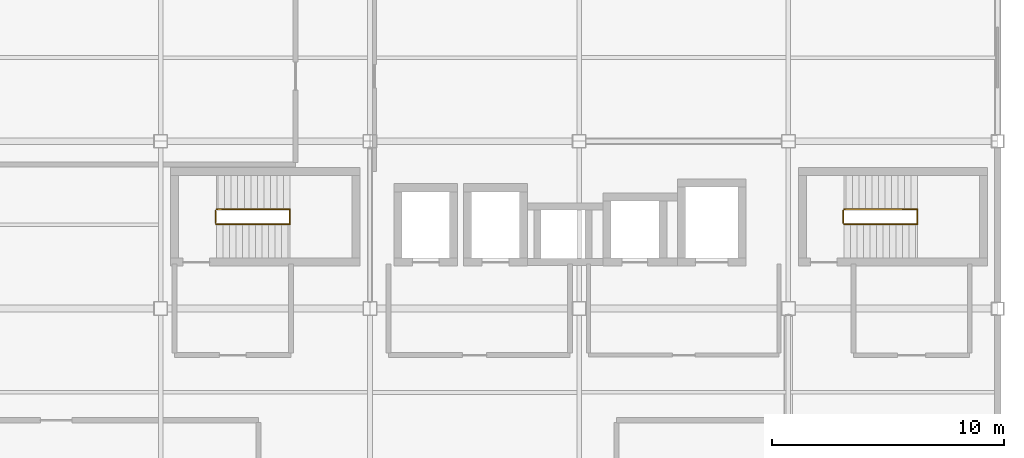
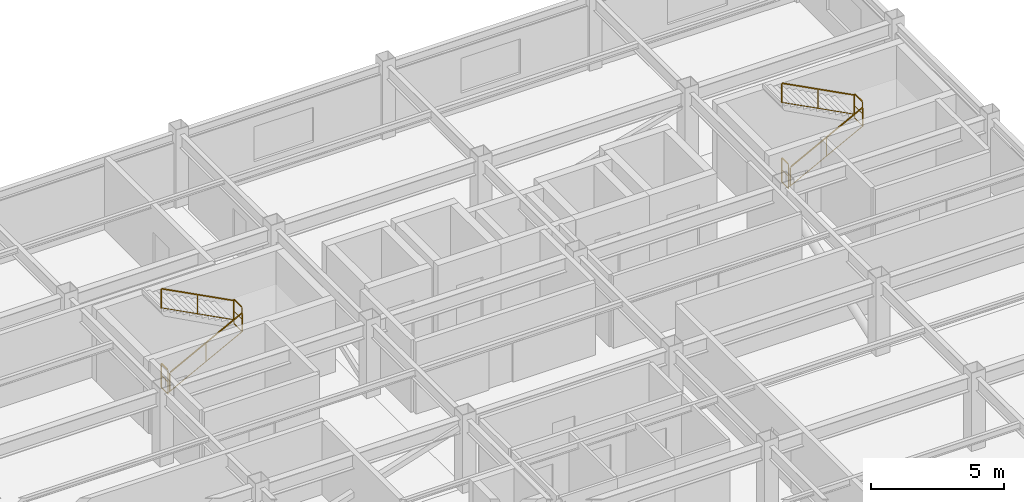
# One storey, part 43 of 43: 8 railings.
"""IFC4 building model written with IfcOpenShell, lengths in metres."""

import ifcopenshell
import ifcopenshell.guid

model = None  # the IFC model being written
_history = None  # IfcOwnerHistory: only IFC2X3 demands one
_inside = {}  # id of a spatial element -> (the spatial element, [elements in it])
_under = {}  # id of a project, library or spatial element -> (it, [spatial elements below it])
_declared = {}  # id of a project -> (the project, [libraries it declares])
_typed = {}  # id of a type object -> (the type object, [elements of that type])
_made_of = {}  # id of a material, layer set ... -> (it, [elements and type objects made of it])


def new_model(schema):
    """Start an empty IFC model of exactly this schema.

    Asked for "IFC4X3", IfcOpenShell would pick the latest addendum, in which some entities
    have other attributes; the version numbers below select the first issue.
    IFC2X3 requires an IfcOwnerHistory on every rooted entity: one is made here for all.
    """
    global model, _history
    if schema == "IFC4X3":
        model = ifcopenshell.file(schema_version=(4, 3, 0, 0))
    else:
        model = ifcopenshell.file(schema=schema)
    _inside.clear()
    _under.clear()
    _declared.clear()
    _typed.clear()
    _made_of.clear()
    _history = None
    if model.schema == "IFC2X3":
        org = make("IfcOrganization", Name="unknown")
        user = make(
            "IfcPersonAndOrganization",
            ThePerson=make("IfcPerson", FamilyName="unknown"),
            TheOrganization=org,
        )
        app = make(
            "IfcApplication",
            ApplicationDeveloper=org,
            Version="unknown",
            ApplicationFullName="unknown",
            ApplicationIdentifier="unknown",
        )
        _history = make(
            "IfcOwnerHistory",
            OwningUser=user,
            OwningApplication=app,
            ChangeAction="ADDED",
            CreationDate=0,
        )
    return model


def make(cls, **values):
    """One entity of the class cls with the attributes given. An attribute that is None is left unset."""
    return model.create_entity(
        cls, **{name: value for name, value in values.items() if value is not None}
    )


def rooted(cls, **values):
    """An entity with a GlobalId (a new one), such as an element, a storey or a relation."""
    return make(cls, GlobalId=ifcopenshell.guid.new(), OwnerHistory=_history, **values)


def si_unit(unit_type, name, prefix=None):
    """IfcSIUnit, for example si_unit("LENGTHUNIT", "METRE", prefix="MILLI")."""
    return make("IfcSIUnit", UnitType=unit_type, Prefix=prefix, Name=name)


def assignment(units):
    """IfcUnitAssignment: the units of a project."""
    return None if units is None else make("IfcUnitAssignment", Units=units)


def point(xyz):
    """IfcCartesianPoint."""
    return None if xyz is None else make("IfcCartesianPoint", Coordinates=xyz)


def direction(xyz):
    """IfcDirection."""
    return None if xyz is None else make("IfcDirection", DirectionRatios=xyz)


def frame(location, z_axis=None, x_axis=None):
    """IfcAxis2Placement3D, a coordinate frame: its origin and axes. An axis left out is left unset."""
    return make(
        "IfcAxis2Placement3D",
        Location=point(location),
        Axis=direction(z_axis),
        RefDirection=direction(x_axis),
    )


def frame_2d(location, x_axis=None):
    """IfcAxis2Placement2D, a coordinate frame in the plane: its origin and x axis."""
    return make(
        "IfcAxis2Placement2D", Location=point(location), RefDirection=direction(x_axis)
    )


def origin():
    """The frame at (0, 0, 0) with its axes left unset."""
    return frame((0.0, 0.0, 0.0))


def origin_2d():
    """The frame at (0, 0) in the plane with its x axis left unset."""
    return frame_2d((0.0, 0.0))


def place(relative_to, where):
    """IfcLocalPlacement: puts the frame where relative to a parent placement (None: the world)."""
    return make(
        "IfcLocalPlacement", PlacementRelTo=relative_to, RelativePlacement=where
    )


def context(
    kind, dimensions, precision=None, world=None, true_north=None, identifier=None
):
    """IfcGeometricRepresentationContext, for example the 3D "Model" context."""
    return make(
        "IfcGeometricRepresentationContext",
        ContextIdentifier=identifier,
        ContextType=kind,
        CoordinateSpaceDimension=dimensions,
        Precision=precision,
        WorldCoordinateSystem=world,
        TrueNorth=true_north,
    )


def subcontext(parent, identifier, kind, view, scale=None):
    """IfcGeometricRepresentationSubContext, for example "Body" below "Model"."""
    return make(
        "IfcGeometricRepresentationSubContext",
        ContextIdentifier=identifier,
        ContextType=kind,
        ParentContext=parent,
        TargetScale=scale,
        TargetView=view,
    )


def project(units=None, contexts=None):
    """IfcProject with its units and contexts."""
    return rooted(
        "IfcProject",
        Name="project",
        RepresentationContexts=contexts,
        UnitsInContext=assignment(units),
    )


def spatial(cls, under=None, at=None, **own):
    """A site, building, storey or space (cls), placed at a placement, below another one or the project."""
    s = rooted(cls, ObjectPlacement=at, **own)
    if under is not None:
        _under.setdefault(under.id(), (under, []))[1].append(s)
    return s


def profile(cls, at=None, kind="AREA", **sizes):
    """A parametric profile (cls). Its sizes go by their IFC names, for example OverallWidth=200.0."""
    return make(cls, ProfileType=kind, Position=at, **sizes)


def rectangle(**sizes):
    """IfcRectangleProfileDef."""
    return profile("IfcRectangleProfileDef", **sizes)


def extrude(swept, where, along, depth):
    """IfcExtrudedAreaSolid: the profile swept, set in the frame where, extruded along a direction by depth."""
    return make(
        "IfcExtrudedAreaSolid",
        SweptArea=swept,
        Position=where,
        ExtrudedDirection=direction(along),
        Depth=depth,
    )


def shape(context_of_items, identifier, shape_type, items):
    """IfcShapeRepresentation: the items that make up one representation, for example the "Body"."""
    return make(
        "IfcShapeRepresentation",
        ContextOfItems=context_of_items,
        RepresentationIdentifier=identifier,
        RepresentationType=shape_type,
        Items=items,
    )


def material(Name=None, Category=None):
    """IfcMaterial."""
    return make("IfcMaterial", Name=Name, Category=Category)


def made_of(thing, what):
    """Note that an element or type object is made of a material, layer set ...; save() writes the relation."""
    if what is not None:
        _made_of.setdefault(what.id(), (what, []))[1].append(thing)
    return thing


def type_object(cls, material=None, **own):
    """A type object (cls), such as IfcWallType, which elements share."""
    return made_of(rooted(cls, **own), material)


def element(
    cls,
    number,
    at=None,
    inside=None,
    cuts=None,
    type_object=None,
    material=None,
    context=None,
    identifier="Body",
    shape_type=None,
    held_by="IfcProductDefinitionShape",
    body=None,
    shapes=None,
    **own,
):
    """One element of the class cls, such as IfcWall. Its Tag is "e" and its number.

    at: its placement. inside: the storey or other place that contains it. cuts: it is an
    opening in that element (IfcRelVoidsElement). A single representation is given by context,
    identifier, shape_type and body (its items); several are given by shapes. held_by: the class
    of the entity that holds the representations. save() writes the other relations.
    """
    e = rooted(cls, Tag="e%d" % number, ObjectPlacement=at, **own)
    if body is not None:
        shapes = [shape(context, identifier, shape_type, body)]
    if shapes is not None:
        e.Representation = make(held_by, Representations=shapes)
    if inside is not None:
        _inside.setdefault(inside.id(), (inside, []))[1].append(e)
    if cuts is not None:
        rooted(
            "IfcRelVoidsElement", RelatingBuildingElement=cuts, RelatedOpeningElement=e
        )
    if type_object is not None:
        _typed.setdefault(type_object.id(), (type_object, []))[1].append(e)
    return made_of(e, material)


def aggregate(whole, parts):
    """IfcRelAggregates: a whole, such as a stair, and the parts it consists of."""
    return rooted("IfcRelAggregates", RelatingObject=whole, RelatedObjects=parts)


def save(model, path):
    """Write the relations noted so far, then the file.

    IfcRelAggregates (storeys below a building ...), IfcRelContainedInSpatialStructure (elements
    in a storey), IfcRelDefinesByType, IfcRelAssociatesMaterial and IfcRelDeclares: one each for
    every whole, place, type object, material and project.
    """
    for whole, parts in _under.values():
        aggregate(whole, parts)
    for where, things in _inside.values():
        rooted(
            "IfcRelContainedInSpatialStructure",
            RelatedElements=things,
            RelatingStructure=where,
        )
    for kind, things in _typed.values():
        rooted("IfcRelDefinesByType", RelatedObjects=things, RelatingType=kind)
    for what, things in _made_of.values():
        rooted("IfcRelAssociatesMaterial", RelatedObjects=things, RelatingMaterial=what)
    for by, libraries in _declared.values():
        rooted("IfcRelDeclares", RelatingContext=by, RelatedDefinitions=libraries)
    model.write(path)


model = new_model("IFC4")

# Units and contexts
model_context = context("Model", 3, precision=1e-05, world=origin(), true_north=direction((0.0, 1.0)))
body_context = subcontext(model_context, "Body", "Model", "MODEL_VIEW")
ifc_project = project(units=[si_unit("LENGTHUNIT", "METRE"), si_unit("AREAUNIT", "SQUARE_METRE"), si_unit("VOLUMEUNIT", "CUBIC_METRE"), si_unit("PLANEANGLEUNIT", "RADIAN"), si_unit("MASSUNIT", "GRAM", prefix="KILO")], contexts=[model_context])

# Site, building, storey
site_placement = place(None, origin())
site = spatial("IfcSite", under=ifc_project, at=site_placement, CompositionType="ELEMENT")
building_placement = place(site_placement, origin())
building = spatial("IfcBuilding", under=site, at=building_placement, Name="Kazanami Central Library", CompositionType="ELEMENT")
storey_placement = place(building_placement, frame((0.0, 0.0, 20.60009765625)))
storey = spatial("IfcBuildingStorey", under=building, at=storey_placement, Name="L06", CompositionType="ELEMENT", Elevation=20.60009765625)

# Railings
ifc_material = material(Name="Stainless Steel SUS304", Category="steel")
railing_type_1 = type_object("IfcRailingType", Name="RAL-GR-S1", PredefinedType="GUARDRAIL", material=ifc_material)
railing_1_placement = place(storey_placement, frame((128.360107421875, 82.89501953125, 0.0)))
element("IfcRailing", 1, at=railing_1_placement, inside=storey, type_object=railing_type_1, Name="Stair Well Guard ST-01 L06", PredefinedType="GUARDRAIL", context=body_context, shape_type="SweptSolid", body=[
    extrude(rectangle(XDim=0.0439453125, YDim=0.0439453125, at=origin_2d()), frame((0.0, 0.02587890625, 1.1279296875), z_axis=(0.0, 1.0, 0.0), x_axis=(-1.0, 0.0, 0.0)), (0.0, 0.0, 1.0), 0.4580078125),
    extrude(rectangle(XDim=0.02392578125, YDim=0.02392578125, at=origin_2d()), frame((0.0, 0.02587890625, 0.015869140625), z_axis=(0.0, 1.0, 0.0), x_axis=(-1.0, 0.0, 0.0)), (0.0, 0.0, 1.0), 0.4580078125),
    extrude(rectangle(XDim=0.02392578125, YDim=0.02392578125, at=origin_2d()), frame((0.0, 0.02587890625, 0.574951171875), z_axis=(0.0, 1.0, 0.0), x_axis=(-1.0, 0.0, 0.0)), (0.0, 0.0, 1.0), 0.4580078125),
    extrude(rectangle(XDim=0.035888671875, YDim=0.035888671875, at=origin_2d()), origin(), (0.0, 0.0, 1.0), 1.10205078125),
    extrude(rectangle(XDim=0.035888671875, YDim=0.035888671875, at=origin_2d()), frame((0.0, 0.510009765625, 0.0)), (0.0, 0.0, 1.0), 1.10205078125),
])
railing_2_placement = place(storey_placement, frame((131.548095703125, 82.844970703125, 1.7998046875)))
element("IfcRailing", 2, at=railing_2_placement, inside=storey, type_object=railing_type_1, Name="Half-Landing Well Guard ST-01 L06", PredefinedType="GUARDRAIL", context=body_context, shape_type="SweptSolid", body=[
    extrude(rectangle(XDim=0.0439453125, YDim=0.0439453125, at=origin_2d()), frame((0.0, 0.02587890625, 1.1279296875), z_axis=(0.0, 1.0, 0.0), x_axis=(-1.0, 0.0, 0.0)), (0.0, 0.0, 1.0), 0.55810546875),
    extrude(rectangle(XDim=0.02392578125, YDim=0.02392578125, at=origin_2d()), frame((0.0, 0.02587890625, 0.015869140625), z_axis=(0.0, 1.0, 0.0), x_axis=(-1.0, 0.0, 0.0)), (0.0, 0.0, 1.0), 0.55810546875),
    extrude(rectangle(XDim=0.02392578125, YDim=0.02392578125, at=origin_2d()), frame((0.0, 0.02587890625, 0.574951171875), z_axis=(0.0, 1.0, 0.0), x_axis=(-1.0, 0.0, 0.0)), (0.0, 0.0, 1.0), 0.55810546875),
    extrude(rectangle(XDim=0.035888671875, YDim=0.035888671875, at=origin_2d()), origin(), (0.0, 0.0, 1.0), 1.10205078125),
    extrude(rectangle(XDim=0.035888671875, YDim=0.035888671875, at=origin_2d()), frame((0.0, 0.610107421875, 0.0)), (0.0, 0.0, 1.0), 1.10205078125),
])
railing_3_placement = place(storey_placement, frame((155.360107421875, 82.89501953125, 0.0)))
element("IfcRailing", 3, at=railing_3_placement, inside=storey, type_object=railing_type_1, Name="Stair Well Guard ST-02 L06", PredefinedType="GUARDRAIL", context=body_context, shape_type="SweptSolid", body=[
    extrude(rectangle(XDim=0.0439453125, YDim=0.0439453125, at=origin_2d()), frame((0.0, 0.02587890625, 1.1279296875), z_axis=(0.0, 1.0, 0.0), x_axis=(-1.0, 0.0, 0.0)), (0.0, 0.0, 1.0), 0.4580078125),
    extrude(rectangle(XDim=0.02392578125, YDim=0.02392578125, at=origin_2d()), frame((0.0, 0.02587890625, 0.015869140625), z_axis=(0.0, 1.0, 0.0), x_axis=(-1.0, 0.0, 0.0)), (0.0, 0.0, 1.0), 0.4580078125),
    extrude(rectangle(XDim=0.02392578125, YDim=0.02392578125, at=origin_2d()), frame((0.0, 0.02587890625, 0.574951171875), z_axis=(0.0, 1.0, 0.0), x_axis=(-1.0, 0.0, 0.0)), (0.0, 0.0, 1.0), 0.4580078125),
    extrude(rectangle(XDim=0.035888671875, YDim=0.035888671875, at=origin_2d()), origin(), (0.0, 0.0, 1.0), 1.10205078125),
    extrude(rectangle(XDim=0.035888671875, YDim=0.035888671875, at=origin_2d()), frame((0.0, 0.510009765625, 0.0)), (0.0, 0.0, 1.0), 1.10205078125),
])
railing_4_placement = place(storey_placement, frame((158.548095703125, 82.844970703125, 1.7998046875)))
element("IfcRailing", 4, at=railing_4_placement, inside=storey, type_object=railing_type_1, Name="Half-Landing Well Guard ST-02 L06", PredefinedType="GUARDRAIL", context=body_context, shape_type="SweptSolid", body=[
    extrude(rectangle(XDim=0.0439453125, YDim=0.0439453125, at=origin_2d()), frame((0.0, 0.02587890625, 1.1279296875), z_axis=(0.0, 1.0, 0.0), x_axis=(-1.0, 0.0, 0.0)), (0.0, 0.0, 1.0), 0.55810546875),
    extrude(rectangle(XDim=0.02392578125, YDim=0.02392578125, at=origin_2d()), frame((0.0, 0.02587890625, 0.015869140625), z_axis=(0.0, 1.0, 0.0), x_axis=(-1.0, 0.0, 0.0)), (0.0, 0.0, 1.0), 0.55810546875),
    extrude(rectangle(XDim=0.02392578125, YDim=0.02392578125, at=origin_2d()), frame((0.0, 0.02587890625, 0.574951171875), z_axis=(0.0, 1.0, 0.0), x_axis=(-1.0, 0.0, 0.0)), (0.0, 0.0, 1.0), 0.55810546875),
    extrude(rectangle(XDim=0.035888671875, YDim=0.035888671875, at=origin_2d()), origin(), (0.0, 0.0, 1.0), 1.10205078125),
    extrude(rectangle(XDim=0.035888671875, YDim=0.035888671875, at=origin_2d()), frame((0.0, 0.610107421875, 0.0)), (0.0, 0.0, 1.0), 1.10205078125),
])
railing_type_2 = type_object("IfcRailingType", Name="RAL-HR-01", PredefinedType="HANDRAIL", material=ifc_material)
for number, where, name in (
    (5, (128.39404296875, 82.824951171875, 0.14990234375), "Stair Handrail ST-01 Flight 1 (L06)"),
    (6, (155.39404296875, 82.824951171875, 0.14990234375), "Stair Handrail ST-02 Flight 1 (L06)"),
):
    element("IfcRailing", number, at=place(storey_placement, frame(where)), inside=storey, type_object=railing_type_2, Name=name, PredefinedType="HANDRAIL", context=body_context, shape_type="SweptSolid", body=[
        extrude(rectangle(XDim=0.0439453125, YDim=0.0439453125, at=origin_2d()), frame((0.02294921875, 0.0, 0.889892578125), z_axis=(0.886087811587, 0.0, 0.463517410845), x_axis=(0.0, 1.0, 0.0)), (0.0, 0.0, 1.0), 3.507568359375),
        extrude(rectangle(XDim=0.02392578125, YDim=0.02392578125, at=origin_2d()), frame((0.02294921875, 0.0, 0.028076171875), z_axis=(0.886087811587, 0.0, 0.463517410845), x_axis=(0.0, 1.0, 0.0)), (0.0, 0.0, 1.0), 3.507568359375),
        extrude(rectangle(XDim=0.035888671875, YDim=0.035888671875, at=origin_2d()), origin(), (0.0, 0.0, 1.0), 0.85205078125),
        extrude(rectangle(XDim=0.035888671875, YDim=0.035888671875, at=origin_2d()), frame((1.5771484375, 0.0, 0.824951171875)), (0.0, 0.0, 1.0), 0.85205078125),
        extrude(rectangle(XDim=0.035888671875, YDim=0.035888671875, at=origin_2d()), frame((3.154052734375, 0.0, 1.64990234375)), (0.0, 0.0, 1.0), 0.85205078125),
    ])
railing_type_3 = type_object("IfcRailingType", Name="RAL-HR-02", PredefinedType="HANDRAIL", material=ifc_material)
for number, where, name in (
    (7, (131.553955078125, 83.47509765625, 1.949951171875), "Stair Handrail ST-01 Flight 2 (L06)"),
    (8, (158.553955078125, 83.47509765625, 1.949951171875), "Stair Handrail ST-02 Flight 2 (L06)"),
):
    element("IfcRailing", number, at=place(storey_placement, frame(where)), inside=storey, type_object=railing_type_3, Name=name, PredefinedType="HANDRAIL", context=body_context, shape_type="SweptSolid", body=[
        extrude(rectangle(XDim=0.0439453125, YDim=0.0439453125, at=origin_2d()), frame((-0.02294921875, 0.0, 0.909912109375), z_axis=(-0.886087811587, 0.0, 0.463517410845), x_axis=(0.0, -1.0, 0.0)), (0.0, 0.0, 1.0), 3.507568359375),
        extrude(rectangle(XDim=0.02392578125, YDim=0.02392578125, at=origin_2d()), frame((-0.02294921875, 0.0, 0.028076171875), z_axis=(-0.886087811587, 0.0, 0.463517410845), x_axis=(0.0, -1.0, 0.0)), (0.0, 0.0, 1.0), 3.507568359375),
        extrude(rectangle(XDim=0.035888671875, YDim=0.035888671875, at=origin_2d()), origin(), (0.0, 0.0, 1.0), 0.8720703125),
        extrude(rectangle(XDim=0.035888671875, YDim=0.035888671875, at=origin_2d()), frame((-1.5771484375, 0.0, 0.824951171875)), (0.0, 0.0, 1.0), 0.8720703125),
        extrude(rectangle(XDim=0.035888671875, YDim=0.035888671875, at=origin_2d()), frame((-3.154052734375, 0.0, 1.64990234375)), (0.0, 0.0, 1.0), 0.8720703125),
    ])

save(model, "model.ifc")
